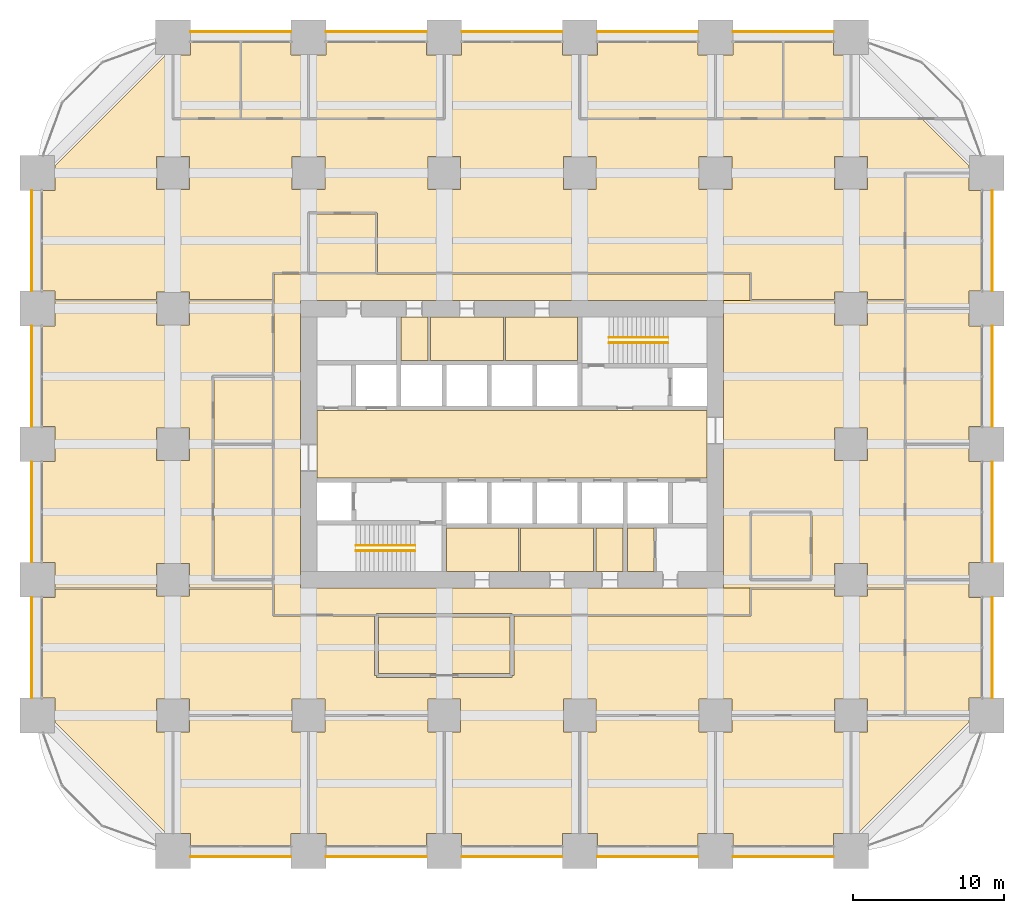
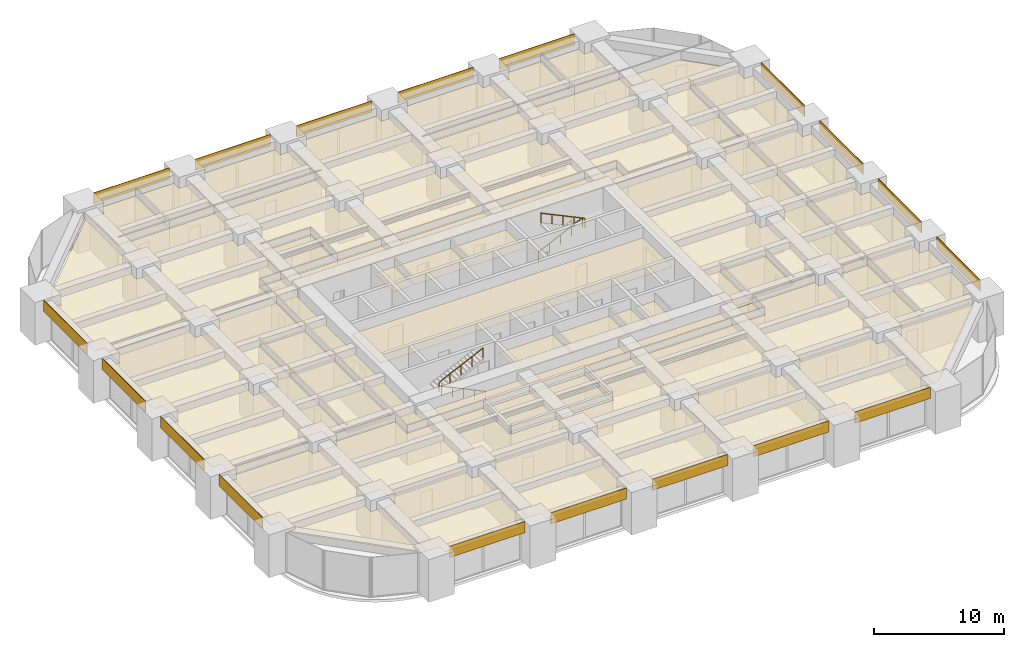
# One storey, part 43 of 44: 51 coverings, 4 railings.
"""IFC4 building model written with IfcOpenShell, lengths in metres."""

from ifc_helpers import new_model, si_unit, direction, frame, frame_2d, origin, origin_2d, place, context, subcontext, project, spatial, polyline, rectangle, circle, outline, extrude, material, layer, layer_set, type_object, element, save


model = new_model("IFC4")

# Units and contexts
model_context = context("Model", 3, precision=1e-05, world=origin(), true_north=direction((0.0, 1.0)))
body_context = subcontext(model_context, "Body", "Model", "MODEL_VIEW")
ifc_project = project(units=[si_unit("LENGTHUNIT", "METRE"), si_unit("AREAUNIT", "SQUARE_METRE"), si_unit("VOLUMEUNIT", "CUBIC_METRE"), si_unit("PLANEANGLEUNIT", "RADIAN"), si_unit("MASSUNIT", "GRAM", prefix="KILO")], contexts=[model_context])

# Site, building, storey
site_placement = place(None, origin())
site = spatial("IfcSite", under=ifc_project, at=site_placement, CompositionType="ELEMENT")
building_placement = place(site_placement, origin())
building = spatial("IfcBuilding", under=site, at=building_placement, Name="Zorevar Civic Tower", CompositionType="ELEMENT")
storey_placement = place(building_placement, frame((0.0, 0.0, 51.800048828125)))
storey = spatial("IfcBuildingStorey", under=building, at=storey_placement, Name="L12", CompositionType="ELEMENT", Elevation=51.800048828125)

# Railings
ifc_material_1 = material(Name="Black steel handrail", Category="steel")
railing_type = type_object("IfcRailingType", Name="Handrail HR1 900", PredefinedType="HANDRAIL", material=ifc_material_1)
railing_1_placement = place(storey_placement, frame((25.050048828125, 19.925048828125, 0.142822265625)))
element("IfcRailing", 1, at=railing_1_placement, inside=storey, type_object=railing_type, Name="Handrail HR1 ST1 L12", PredefinedType="HANDRAIL", context=body_context, shape_type="SweptSolid", body=[
    extrude(circle(Radius=0.02392578125, at=origin_2d()), frame((0.0, 0.0, 0.8759765625), z_axis=(-0.902863652845, 0.0, 0.429926998885), x_axis=(0.0, -1.0, 0.0)), (0.0, 0.0, 1.0), 4.31982421875),
    extrude(circle(Radius=0.02099609375, at=origin_2d()), origin(), (0.0, 0.0, 1.0), 0.851806640625),
    extrude(circle(Radius=0.02099609375, at=origin_2d()), frame((-0.97509765625, 0.0, 0.46435546875)), (0.0, 0.0, 1.0), 0.851806640625),
    extrude(circle(Radius=0.02099609375, at=origin_2d()), frame((-1.9501953125, 0.0, 0.9287109375)), (0.0, 0.0, 1.0), 0.851806640625),
    extrude(circle(Radius=0.02099609375, at=origin_2d()), frame((-2.925048828125, 0.0, 1.392822265625)), (0.0, 0.0, 1.0), 0.851806640625),
    extrude(circle(Radius=0.02099609375, at=origin_2d()), frame((-3.900146484375, 0.0, 1.857177734375)), (0.0, 0.0, 1.0), 0.851806640625),
])
for number, where, name in (
    (2, (21.14990234375, 20.27490234375, 2.142822265625), "Handrail HR1 ST1 L12"),
    (3, (37.949951171875, 34.074951171875, 0.142822265625), "Handrail HR1 ST2 L12"),
):
    element("IfcRailing", number, at=place(storey_placement, frame(where)), inside=storey, type_object=railing_type, Name=name, PredefinedType="HANDRAIL", context=body_context, shape_type="SweptSolid", body=[
        extrude(circle(Radius=0.02392578125, at=origin_2d()), frame((0.0, 0.0, 0.8759765625), z_axis=(0.902863652845, 0.0, 0.429926998885), x_axis=(0.0, 1.0, 0.0)), (0.0, 0.0, 1.0), 4.31982421875),
        extrude(circle(Radius=0.02099609375, at=origin_2d()), origin(), (0.0, 0.0, 1.0), 0.851806640625),
        extrude(circle(Radius=0.02099609375, at=origin_2d()), frame((0.97509765625, 0.0, 0.46435546875)), (0.0, 0.0, 1.0), 0.851806640625),
        extrude(circle(Radius=0.02099609375, at=origin_2d()), frame((1.9501953125, 0.0, 0.9287109375)), (0.0, 0.0, 1.0), 0.851806640625),
        extrude(circle(Radius=0.02099609375, at=origin_2d()), frame((2.925048828125, 0.0, 1.392822265625)), (0.0, 0.0, 1.0), 0.851806640625),
        extrude(circle(Radius=0.02099609375, at=origin_2d()), frame((3.900146484375, 0.0, 1.857177734375)), (0.0, 0.0, 1.0), 0.851806640625),
    ])
railing_2_placement = place(storey_placement, frame((41.85009765625, 33.72509765625, 2.142822265625)))
element("IfcRailing", 4, at=railing_2_placement, inside=storey, type_object=railing_type, Name="Handrail HR1 ST2 L12", PredefinedType="HANDRAIL", context=body_context, shape_type="SweptSolid", body=[
    extrude(circle(Radius=0.02392578125, at=origin_2d()), frame((0.0, 0.0, 0.8759765625), z_axis=(-0.902863652845, 0.0, 0.429926998885), x_axis=(0.0, -1.0, 0.0)), (0.0, 0.0, 1.0), 4.31982421875),
    extrude(circle(Radius=0.02099609375, at=origin_2d()), origin(), (0.0, 0.0, 1.0), 0.851806640625),
    extrude(circle(Radius=0.02099609375, at=origin_2d()), frame((-0.97509765625, 0.0, 0.46435546875)), (0.0, 0.0, 1.0), 0.851806640625),
    extrude(circle(Radius=0.02099609375, at=origin_2d()), frame((-1.9501953125, 0.0, 0.9287109375)), (0.0, 0.0, 1.0), 0.851806640625),
    extrude(circle(Radius=0.02099609375, at=origin_2d()), frame((-2.925048828125, 0.0, 1.392822265625)), (0.0, 0.0, 1.0), 0.851806640625),
    extrude(circle(Radius=0.02099609375, at=origin_2d()), frame((-3.900146484375, 0.0, 1.857177734375)), (0.0, 0.0, 1.0), 0.851806640625),
])

# Coverings
ifc_material_2 = material(Name="Moisture-resistant gypsum board")
ifc_layer_1 = layer(ifc_material_2, 0.012451171875)
ifc_layer_set_1 = layer_set([ifc_layer_1], Name="Moisture-resistant ceiling SC3")
covering_type_1 = type_object("IfcCoveringType", Name="Moisture-resistant ceiling SC3", PredefinedType="CEILING", material=ifc_layer_set_1)
covering_1_placement = place(storey_placement, frame((0.0, 0.0, 3.0)))
element("IfcCovering", 5, at=covering_1_placement, inside=storey, type_object=covering_type_1, Name="Ceiling L12-05", PredefinedType="CEILING", context=body_context, shape_type="SweptSolid", body=[
    extrude(outline(polyline([(31.925048828125, 18.550048828125), (31.925048828125, 21.449951171875), (27.14990234375, 21.449951171875), (27.14990234375, 18.550048828125), (31.925048828125, 18.550048828125)])), origin(), (0.0, 0.0, 1.0), 0.012451171875),
])
covering_2_placement = place(storey_placement, frame((0.0, 0.0, 3.0)))
element("IfcCovering", 6, at=covering_2_placement, inside=storey, type_object=covering_type_1, Name="Ceiling L12-06", PredefinedType="CEILING", context=body_context, shape_type="SweptSolid", body=[
    extrude(outline(polyline([(36.925048828125, 18.550048828125), (36.925048828125, 21.449951171875), (32.074951171875, 21.449951171875), (32.074951171875, 18.550048828125), (36.925048828125, 18.550048828125)])), origin(), (0.0, 0.0, 1.0), 0.012451171875),
])
covering_3_placement = place(storey_placement, frame((0.0, 0.0, 3.0)))
element("IfcCovering", 7, at=covering_3_placement, inside=storey, type_object=covering_type_1, Name="Ceiling L12-07", PredefinedType="CEILING", context=body_context, shape_type="SweptSolid", body=[
    extrude(outline(polyline([(38.85009765625, 18.550048828125), (38.85009765625, 21.449951171875), (37.074951171875, 21.449951171875), (37.074951171875, 18.550048828125), (38.85009765625, 18.550048828125)])), origin(), (0.0, 0.0, 1.0), 0.012451171875),
])
covering_4_placement = place(storey_placement, frame((0.0, 0.0, 3.0)))
element("IfcCovering", 8, at=covering_4_placement, inside=storey, type_object=covering_type_1, Name="Ceiling L12-08", PredefinedType="CEILING", context=body_context, shape_type="SweptSolid", body=[
    extrude(outline(polyline([(35.85009765625, 32.550048828125), (35.85009765625, 35.449951171875), (31.074951171875, 35.449951171875), (31.074951171875, 32.550048828125), (35.85009765625, 32.550048828125)])), origin(), (0.0, 0.0, 1.0), 0.012451171875),
])
covering_5_placement = place(storey_placement, frame((0.0, 0.0, 3.0)))
element("IfcCovering", 9, at=covering_5_placement, inside=storey, type_object=covering_type_1, Name="Ceiling L12-09", PredefinedType="CEILING", context=body_context, shape_type="SweptSolid", body=[
    extrude(outline(polyline([(30.925048828125, 32.550048828125), (30.925048828125, 35.449951171875), (26.074951171875, 35.449951171875), (26.074951171875, 32.550048828125), (30.925048828125, 32.550048828125)])), origin(), (0.0, 0.0, 1.0), 0.012451171875),
])
covering_6_placement = place(storey_placement, frame((0.0, 0.0, 3.0)))
element("IfcCovering", 10, at=covering_6_placement, inside=storey, type_object=covering_type_1, Name="Ceiling L12-10", PredefinedType="CEILING", context=body_context, shape_type="SweptSolid", body=[
    extrude(outline(polyline([(25.925048828125, 32.550048828125), (25.925048828125, 35.449951171875), (24.14990234375, 35.449951171875), (24.14990234375, 32.550048828125), (25.925048828125, 32.550048828125)])), origin(), (0.0, 0.0, 1.0), 0.012451171875),
])
ifc_material_3 = material(Name="Black anodised aluminium spandrel panel", Category="aluminium")
ifc_layer_2 = layer(ifc_material_3, 0.050048828125)
ifc_layer_set_2 = layer_set([ifc_layer_2], Name="Spandrel cladding SP1")
covering_type_2 = type_object("IfcCoveringType", Name="Spandrel cladding SP1", PredefinedType="CLADDING", material=ifc_layer_set_2)
for number, where, z_axis, x_axis, name in (
    (11, (10.14990234375, -0.375, 2.949951171875), (0.0, 0.0, 1.0), (1.0, 0.0, 0.0), "Spandrel cladding L13"),
    (12, (19.14990234375, -0.375, 2.949951171875), (0.0, 0.0, 1.0), (1.0, 0.0, 0.0), "Spandrel cladding L13"),
    (13, (28.14990234375, -0.375, 2.949951171875), (0.0, 0.0, 1.0), (1.0, 0.0, 0.0), "Spandrel cladding L13"),
    (14, (37.14990234375, -0.375, 2.949951171875), (0.0, 0.0, 1.0), (1.0, 0.0, 0.0), "Spandrel cladding L13"),
    (15, (46.14990234375, -0.375, 2.949951171875), (0.0, 0.0, 1.0), (1.0, 0.0, 0.0), "Spandrel cladding L13"),
    (16, (10.14990234375, 54.375, 2.949951171875), (0.0, 0.0, 1.0), (1.0, 0.0, 0.0), "Spandrel cladding L13"),
    (17, (19.14990234375, 54.375, 2.949951171875), (0.0, 0.0, 1.0), (1.0, 0.0, 0.0), "Spandrel cladding L13"),
    (18, (28.14990234375, 54.375, 2.949951171875), (0.0, 0.0, 1.0), (1.0, 0.0, 0.0), "Spandrel cladding L13"),
    (19, (37.14990234375, 54.375, 2.949951171875), (0.0, 0.0, 1.0), (1.0, 0.0, 0.0), "Spandrel cladding L13"),
    (20, (46.14990234375, 54.375, 2.949951171875), (0.0, 0.0, 1.0), (1.0, 0.0, 0.0), "Spandrel cladding L13"),
    (21, (-0.375, 10.14990234375, 2.949951171875), (0.0, 0.0, 1.0), (0.0, 1.0, 0.0), "Spandrel cladding L13"),
    (22, (-0.375, 19.14990234375, 2.949951171875), (0.0, 0.0, 1.0), (0.0, 1.0, 0.0), "Spandrel cladding L13"),
    (23, (-0.375, 28.14990234375, 2.949951171875), (0.0, 0.0, 1.0), (0.0, 1.0, 0.0), "Spandrel cladding L13"),
    (24, (-0.375, 37.14990234375, 2.949951171875), (0.0, 0.0, 1.0), (0.0, 1.0, 0.0), "Spandrel cladding L13"),
    (25, (63.375, 10.14990234375, 2.949951171875), (0.0, 0.0, 1.0), (0.0, 1.0, 0.0), "Spandrel cladding L13"),
    (26, (63.375, 19.14990234375, 2.949951171875), (0.0, 0.0, 1.0), (0.0, 1.0, 0.0), "Spandrel cladding L13"),
    (27, (63.375, 28.14990234375, 2.949951171875), (0.0, 0.0, 1.0), (0.0, 1.0, 0.0), "Spandrel cladding L13"),
    (28, (63.375, 37.14990234375, 2.949951171875), (0.0, 0.0, 1.0), (0.0, 1.0, 0.0), "Spandrel cladding L13"),
):
    element("IfcCovering", number, at=place(storey_placement, frame(where, z_axis=z_axis, x_axis=x_axis)), inside=storey, type_object=covering_type_2, Name=name, PredefinedType="CLADDING", context=body_context, shape_type="SweptSolid", body=[
        extrude(rectangle(XDim=6.7001953125, YDim=0.050048828125, at=frame_2d((3.35009765625, 0.0))), origin(), (0.0, 0.0, 1.0), 1.050048828125),
    ])
ifc_material_4 = material(Name="Mineral fibre tiles on a concealed grid")
ifc_layer_3 = layer(ifc_material_4, 0.02001953125)
ifc_layer_set_3 = layer_set([ifc_layer_3], Name="Suspended ceiling SC1")
covering_type_3 = type_object("IfcCoveringType", Name="Suspended ceiling SC1", PredefinedType="CEILING", material=ifc_layer_set_3)
covering_7_placement = place(storey_placement, frame((0.0, 0.0, 3.0)))
element("IfcCovering", 29, at=covering_7_placement, inside=storey, type_object=covering_type_3, Name="Ceiling L12-11", PredefinedType="CEILING", context=body_context, shape_type="SweptSolid", body=[
    extrude(outline(polyline([(40.93994140625, 18.550048828125), (40.93994140625, 21.449951171875), (39.14990234375, 21.449951171875), (39.14990234375, 18.550048828125), (40.93994140625, 18.550048828125)])), origin(), (0.0, 0.0, 1.0), 0.02001953125),
])
covering_8_placement = place(storey_placement, frame((0.0, 0.0, 3.0)))
element("IfcCovering", 30, at=covering_8_placement, inside=storey, type_object=covering_type_3, Name="Ceiling L12-16", PredefinedType="CEILING", context=body_context, shape_type="SweptSolid", body=[
    extrude(outline(polyline([(44.449951171875, 24.75), (44.449951171875, 29.25), (18.550048828125, 29.25), (18.550048828125, 24.75), (44.449951171875, 24.75)])), origin(), (0.0, 0.0, 1.0), 0.02001953125),
])
covering_9_placement = place(storey_placement, frame((0.0, 0.0, 3.0)))
element("IfcCovering", 31, at=covering_9_placement, inside=storey, type_object=covering_type_3, Name="Ceiling L12-17", PredefinedType="CEILING", context=body_context, shape_type="SweptSolid", body=[
    extrude(outline(polyline([(9.06005859375, 1.159912109375), (9.06005859375, 7.9150390625), (10.0849609375, 7.9150390625), (10.0849609375, 8.93994140625), (16.9150390625, 8.93994140625), (16.9150390625, 7.9150390625), (17.93994140625, 7.9150390625), (17.93994140625, 1.159912109375), (16.840087890625, 1.159912109375), (16.840087890625, 0.35009765625), (10.159912109375, 0.35009765625), (10.159912109375, 1.159912109375), (9.06005859375, 1.159912109375)])), origin(), (0.0, 0.0, 1.0), 0.02001953125),
])
covering_10_placement = place(storey_placement, frame((0.0, 0.0, 3.0)))
element("IfcCovering", 32, at=covering_10_placement, inside=storey, type_object=covering_type_3, Name="Ceiling L12-18", PredefinedType="CEILING", context=body_context, shape_type="SweptSolid", body=[
    extrude(outline(polyline([(18.06005859375, 1.159912109375), (18.06005859375, 7.9150390625), (19.0849609375, 7.9150390625), (19.0849609375, 8.93994140625), (25.9150390625, 8.93994140625), (25.9150390625, 7.9150390625), (26.93994140625, 7.9150390625), (26.93994140625, 1.159912109375), (25.840087890625, 1.159912109375), (25.840087890625, 0.35009765625), (19.159912109375, 0.35009765625), (19.159912109375, 1.159912109375), (18.06005859375, 1.159912109375)])), origin(), (0.0, 0.0, 1.0), 0.02001953125),
])
covering_11_placement = place(storey_placement, frame((0.0, 0.0, 3.0)))
element("IfcCovering", 33, at=covering_11_placement, inside=storey, type_object=covering_type_3, Name="Ceiling L12-19", PredefinedType="CEILING", context=body_context, shape_type="SweptSolid", body=[
    extrude(outline(polyline([(36.06005859375, 1.159912109375), (36.06005859375, 7.9150390625), (37.0849609375, 7.9150390625), (37.0849609375, 8.93994140625), (43.9150390625, 8.93994140625), (43.9150390625, 7.9150390625), (44.93994140625, 7.9150390625), (44.93994140625, 1.159912109375), (43.840087890625, 1.159912109375), (43.840087890625, 0.35009765625), (37.159912109375, 0.35009765625), (37.159912109375, 1.159912109375), (36.06005859375, 1.159912109375)])), origin(), (0.0, 0.0, 1.0), 0.02001953125),
])
covering_12_placement = place(storey_placement, frame((0.0, 0.0, 3.0)))
element("IfcCovering", 34, at=covering_12_placement, inside=storey, type_object=covering_type_3, Name="Ceiling L12-20", PredefinedType="CEILING", context=body_context, shape_type="SweptSolid", body=[
    extrude(outline(polyline([(45.06005859375, 1.159912109375), (45.06005859375, 7.9150390625), (46.0849609375, 7.9150390625), (46.0849609375, 8.93994140625), (52.9150390625, 8.93994140625), (52.9150390625, 7.9150390625), (53.93994140625, 7.9150390625), (53.93994140625, 1.159912109375), (52.840087890625, 1.159912109375), (52.840087890625, 0.35009765625), (46.159912109375, 0.35009765625), (46.159912109375, 1.159912109375), (45.06005859375, 1.159912109375)])), origin(), (0.0, 0.0, 1.0), 0.02001953125),
])
covering_13_placement = place(storey_placement, frame((0.0, 0.0, 3.0)))
element("IfcCovering", 35, at=covering_13_placement, inside=storey, type_object=covering_type_3, Name="Ceiling L12-21", PredefinedType="CEILING", context=body_context, shape_type="SweptSolid", body=[
    extrude(outline(polyline([(22.625, 15.52490234375), (31.375, 15.52490234375), (31.375, 11.77490234375), (22.625, 11.77490234375), (22.625, 15.52490234375)])), origin(), (0.0, 0.0, 1.0), 0.02001953125),
])
covering_14_placement = place(storey_placement, frame((0.0, 0.0, 3.0)))
element("IfcCovering", 36, at=covering_14_placement, inside=storey, type_object=covering_type_3, Name="Ceiling L12-22", PredefinedType="CEILING", context=body_context, shape_type="SweptSolid", body=[
    extrude(outline(polyline([(15.590087890625, 18.06005859375), (11.7099609375, 18.06005859375), (11.7099609375, 26.93994140625), (15.590087890625, 26.93994140625), (15.590087890625, 18.06005859375)])), origin(), (0.0, 0.0, 1.0), 0.02001953125),
])
covering_15_placement = place(storey_placement, frame((0.0, 0.0, 3.0)))
element("IfcCovering", 37, at=covering_15_placement, inside=storey, type_object=covering_type_3, Name="Ceiling L12-23", PredefinedType="CEILING", context=body_context, shape_type="SweptSolid", body=[
    extrude(outline(polyline([(15.590087890625, 31.43994140625), (15.590087890625, 27.06005859375), (11.7099609375, 27.06005859375), (11.7099609375, 31.43994140625), (15.590087890625, 31.43994140625)])), origin(), (0.0, 0.0, 1.0), 0.02001953125),
])
covering_16_placement = place(storey_placement, frame((0.0, 0.0, 3.0)))
element("IfcCovering", 38, at=covering_16_placement, inside=storey, type_object=covering_type_3, Name="Ceiling L12-24", PredefinedType="CEILING", context=body_context, shape_type="SweptSolid", body=[
    extrude(outline(polyline([(9.06005859375, 48.659912109375), (9.06005859375, 52.840087890625), (10.159912109375, 52.840087890625), (10.159912109375, 53.64990234375), (13.43994140625, 53.64990234375), (13.43994140625, 48.659912109375), (9.06005859375, 48.659912109375)])), origin(), (0.0, 0.0, 1.0), 0.02001953125),
])
covering_17_placement = place(storey_placement, frame((0.0, 0.0, 3.0)))
element("IfcCovering", 39, at=covering_17_placement, inside=storey, type_object=covering_type_3, Name="Ceiling L12-25", PredefinedType="CEILING", context=body_context, shape_type="SweptSolid", body=[
    extrude(outline(polyline([(13.56005859375, 48.659912109375), (13.56005859375, 53.64990234375), (16.840087890625, 53.64990234375), (16.840087890625, 52.840087890625), (17.93994140625, 52.840087890625), (17.93994140625, 48.659912109375), (13.56005859375, 48.659912109375)])), origin(), (0.0, 0.0, 1.0), 0.02001953125),
])
covering_18_placement = place(storey_placement, frame((0.0, 0.0, 3.0)))
element("IfcCovering", 40, at=covering_18_placement, inside=storey, type_object=covering_type_3, Name="Ceiling L12-26", PredefinedType="CEILING", context=body_context, shape_type="SweptSolid", body=[
    extrude(outline(polyline([(19.159912109375, 52.840087890625), (19.159912109375, 53.64990234375), (25.840087890625, 53.64990234375), (25.840087890625, 52.840087890625), (26.93994140625, 52.840087890625), (26.93994140625, 48.659912109375), (18.06005859375, 48.659912109375), (18.06005859375, 52.840087890625), (19.159912109375, 52.840087890625)])), origin(), (0.0, 0.0, 1.0), 0.02001953125),
])
covering_19_placement = place(storey_placement, frame((0.0, 0.0, 3.0)))
element("IfcCovering", 41, at=covering_19_placement, inside=storey, type_object=covering_type_3, Name="Ceiling L12-27", PredefinedType="CEILING", context=body_context, shape_type="SweptSolid", body=[
    extrude(outline(polyline([(37.159912109375, 52.840087890625), (37.159912109375, 53.64990234375), (43.840087890625, 53.64990234375), (43.840087890625, 52.840087890625), (44.93994140625, 52.840087890625), (44.93994140625, 48.659912109375), (36.06005859375, 48.659912109375), (36.06005859375, 52.840087890625), (37.159912109375, 52.840087890625)])), origin(), (0.0, 0.0, 1.0), 0.02001953125),
])
covering_20_placement = place(storey_placement, frame((0.0, 0.0, 3.0)))
element("IfcCovering", 42, at=covering_20_placement, inside=storey, type_object=covering_type_3, Name="Ceiling L12-28", PredefinedType="CEILING", context=body_context, shape_type="SweptSolid", body=[
    extrude(outline(polyline([(45.06005859375, 48.659912109375), (45.06005859375, 52.840087890625), (46.159912109375, 52.840087890625), (46.159912109375, 53.64990234375), (49.43994140625, 53.64990234375), (49.43994140625, 48.659912109375), (45.06005859375, 48.659912109375)])), origin(), (0.0, 0.0, 1.0), 0.02001953125),
])
covering_21_placement = place(storey_placement, frame((0.0, 0.0, 3.0)))
element("IfcCovering", 43, at=covering_21_placement, inside=storey, type_object=covering_type_3, Name="Ceiling L12-29", PredefinedType="CEILING", context=body_context, shape_type="SweptSolid", body=[
    extrude(outline(polyline([(49.56005859375, 48.659912109375), (49.56005859375, 53.64990234375), (52.840087890625, 53.64990234375), (52.840087890625, 52.840087890625), (53.93994140625, 52.840087890625), (53.93994140625, 48.659912109375), (49.56005859375, 48.659912109375)])), origin(), (0.0, 0.0, 1.0), 0.02001953125),
])
covering_22_placement = place(storey_placement, frame((0.0, 0.0, 3.0)))
element("IfcCovering", 44, at=covering_22_placement, inside=storey, type_object=covering_type_3, Name="Ceiling L12-30", PredefinedType="CEILING", context=body_context, shape_type="SweptSolid", body=[
    extrude(outline(polyline([(62.64990234375, 10.159912109375), (61.840087890625, 10.159912109375), (61.840087890625, 9.06005859375), (57.659912109375, 9.06005859375), (57.659912109375, 17.93994140625), (61.840087890625, 17.93994140625), (61.840087890625, 16.840087890625), (62.64990234375, 16.840087890625), (62.64990234375, 10.159912109375)])), origin(), (0.0, 0.0, 1.0), 0.02001953125),
])
covering_23_placement = place(storey_placement, frame((0.0, 0.0, 3.0)))
element("IfcCovering", 45, at=covering_23_placement, inside=storey, type_object=covering_type_3, Name="Ceiling L12-31", PredefinedType="CEILING", context=body_context, shape_type="SweptSolid", body=[
    extrude(outline(polyline([(62.64990234375, 19.159912109375), (61.840087890625, 19.159912109375), (61.840087890625, 18.06005859375), (57.659912109375, 18.06005859375), (57.659912109375, 26.93994140625), (61.840087890625, 26.93994140625), (61.840087890625, 25.840087890625), (62.64990234375, 25.840087890625), (62.64990234375, 19.159912109375)])), origin(), (0.0, 0.0, 1.0), 0.02001953125),
])
covering_24_placement = place(storey_placement, frame((0.0, 0.0, 3.0)))
element("IfcCovering", 46, at=covering_24_placement, inside=storey, type_object=covering_type_3, Name="Ceiling L12-32", PredefinedType="CEILING", context=body_context, shape_type="SweptSolid", body=[
    extrude(outline(polyline([(62.64990234375, 28.159912109375), (61.840087890625, 28.159912109375), (61.840087890625, 27.06005859375), (57.659912109375, 27.06005859375), (57.659912109375, 35.93994140625), (61.840087890625, 35.93994140625), (61.840087890625, 34.840087890625), (62.64990234375, 34.840087890625), (62.64990234375, 28.159912109375)])), origin(), (0.0, 0.0, 1.0), 0.02001953125),
])
covering_25_placement = place(storey_placement, frame((0.0, 0.0, 3.0)))
element("IfcCovering", 47, at=covering_25_placement, inside=storey, type_object=covering_type_3, Name="Ceiling L12-33", PredefinedType="CEILING", context=body_context, shape_type="SweptSolid", body=[
    extrude(outline(polyline([(62.64990234375, 37.159912109375), (61.840087890625, 37.159912109375), (61.840087890625, 36.06005859375), (57.659912109375, 36.06005859375), (57.659912109375, 44.93994140625), (61.840087890625, 44.93994140625), (61.840087890625, 43.840087890625), (62.64990234375, 43.840087890625), (62.64990234375, 37.159912109375)])), origin(), (0.0, 0.0, 1.0), 0.02001953125),
])
covering_26_placement = place(storey_placement, frame((0.0, 0.0, 3.0)))
element("IfcCovering", 48, at=covering_26_placement, inside=storey, type_object=covering_type_3, Name="Ceiling L12-34", PredefinedType="CEILING", context=body_context, shape_type="SweptSolid", body=[
    extrude(outline(polyline([(18.06005859375, 42.2900390625), (22.43994140625, 42.2900390625), (22.43994140625, 38.409912109375), (18.06005859375, 38.409912109375), (18.06005859375, 42.2900390625)])), origin(), (0.0, 0.0, 1.0), 0.02001953125),
])
covering_27_placement = place(storey_placement, frame((0.0, 0.0, 3.0)))
element("IfcCovering", 49, at=covering_27_placement, inside=storey, type_object=covering_type_3, Name="Ceiling L12-35", PredefinedType="CEILING", context=body_context, shape_type="SweptSolid", body=[
    extrude(outline(polyline([(47.409912109375, 18.06005859375), (47.409912109375, 22.43994140625), (51.300048828125, 22.43994140625), (51.300048828125, 18.06005859375), (47.409912109375, 18.06005859375)])), origin(), (0.0, 0.0, 1.0), 0.02001953125),
])
covering_28_placement = place(storey_placement, frame((0.0, 0.0, 3.0)))
element("IfcCovering", 50, at=covering_28_placement, inside=storey, type_object=covering_type_3, Name="Ceiling L12-36", PredefinedType="CEILING", context=body_context, shape_type="SweptSolid", body=[
    extrude(outline(polyline([(54.06005859375, 1.159912109375), (54.06005859375, 7.9150390625), (55.0849609375, 7.9150390625), (55.0849609375, 8.93994140625), (61.840087890625, 8.93994140625), (61.840087890625, 8.547119140625), (54.452880859375, 1.159912109375), (54.06005859375, 1.159912109375)])), origin(), (0.0, 0.0, 1.0), 0.02001953125),
])
covering_29_placement = place(storey_placement, frame((0.0, 0.0, 3.0)))
element("IfcCovering", 51, at=covering_29_placement, inside=storey, type_object=covering_type_3, Name="Ceiling L12-38", PredefinedType="CEILING", context=body_context, shape_type="SweptSolid", body=[
    extrude(outline(polyline([(22.5, 38.300048828125), (47.300048828125, 38.300048828125), (47.300048828125, 36.550048828125), (17.449951171875, 36.550048828125), (17.449951171875, 17.449951171875), (47.300048828125, 17.449951171875), (47.300048828125, 15.699951171875), (31.5, 15.699951171875), (31.5, 15.77490234375), (22.5, 15.77490234375), (22.5, 15.699951171875), (15.699951171875, 15.699951171875), (15.699951171875, 18.0), (15.7099609375, 18.0), (15.7099609375, 31.5), (15.699951171875, 31.5), (15.699951171875, 38.300048828125), (18.0, 38.300048828125), (18.0, 38.2900390625), (22.5, 38.2900390625), (22.5, 38.300048828125)])), origin(), (0.0, 0.0, 1.0), 0.02001953125),
])
covering_30_placement = place(storey_placement, frame((0.0, 0.0, 3.0)))
element("IfcCovering", 52, at=covering_30_placement, inside=storey, type_object=covering_type_3, Name="Ceiling L12-39", PredefinedType="CEILING", context=body_context, shape_type="SweptSolid", body=[
    extrude(outline(polyline([(55.0849609375, 19.0849609375), (52.9150390625, 19.0849609375), (52.9150390625, 17.5), (47.35009765625, 17.5), (47.35009765625, 17.449951171875), (45.550048828125, 17.449951171875), (45.550048828125, 36.550048828125), (47.35009765625, 36.550048828125), (47.35009765625, 36.5), (52.9150390625, 36.5), (52.9150390625, 34.9150390625), (55.0849609375, 34.9150390625), (55.0849609375, 36.5), (57.5400390625, 36.5), (57.5400390625, 17.5), (55.0849609375, 17.5), (55.0849609375, 19.0849609375)]), holes=[polyline([(51.35009765625, 18.0), (51.39990234375, 18.0), (51.39990234375, 22.5), (51.35009765625, 22.5), (51.35009765625, 22.56005859375), (47.35009765625, 22.56005859375), (47.35009765625, 22.5), (47.2900390625, 22.5), (47.2900390625, 18.0), (47.35009765625, 18.0), (47.35009765625, 17.93994140625), (51.35009765625, 17.93994140625), (51.35009765625, 18.0)]), polyline([(52.9150390625, 28.0849609375), (52.9150390625, 25.9150390625), (55.0849609375, 25.9150390625), (55.0849609375, 28.0849609375), (52.9150390625, 28.0849609375)])]), origin(), (0.0, 0.0, 1.0), 0.02001953125),
])
covering_31_placement = place(storey_placement, frame((0.0, 0.0, 3.0)))
element("IfcCovering", 53, at=covering_31_placement, inside=storey, type_object=covering_type_3, Name="Ceiling L12-40", PredefinedType="CEILING", context=body_context, shape_type="SweptSolid", body=[
    extrude(outline(polyline([(57.60009765625, 45.06005859375), (57.60009765625, 45.0), (57.5400390625, 45.0), (57.5400390625, 36.60009765625), (55.0849609375, 36.60009765625), (55.0849609375, 37.0849609375), (52.9150390625, 37.0849609375), (52.9150390625, 36.60009765625), (47.39990234375, 36.60009765625), (47.39990234375, 38.35009765625), (47.35009765625, 38.35009765625), (47.35009765625, 38.39990234375), (22.56005859375, 38.39990234375), (22.56005859375, 42.35009765625), (22.5, 42.35009765625), (22.5, 42.409912109375), (18.0, 42.409912109375), (18.0, 42.35009765625), (17.93994140625, 42.35009765625), (17.93994140625, 38.39990234375), (15.64990234375, 38.39990234375), (15.64990234375, 38.35009765625), (15.60009765625, 38.35009765625), (15.60009765625, 36.60009765625), (10.0849609375, 36.60009765625), (10.0849609375, 37.0849609375), (7.9150390625, 37.0849609375), (7.9150390625, 36.60009765625), (1.159912109375, 36.60009765625), (1.159912109375, 37.159912109375), (0.35009765625, 37.159912109375), (0.35009765625, 43.840087890625), (1.159912109375, 43.840087890625), (1.159912109375, 45.452880859375), (8.547119140625, 52.840087890625), (8.93994140625, 52.840087890625), (8.93994140625, 48.60009765625), (9.0, 48.60009765625), (9.0, 48.5400390625), (27.0, 48.5400390625), (27.0, 48.60009765625), (27.06005859375, 48.60009765625), (27.06005859375, 52.840087890625), (28.159912109375, 52.840087890625), (28.159912109375, 53.64990234375), (34.840087890625, 53.64990234375), (34.840087890625, 52.840087890625), (35.93994140625, 52.840087890625), (35.93994140625, 48.60009765625), (36.0, 48.60009765625), (36.0, 48.5400390625), (58.7529296875, 48.5400390625), (61.840087890625, 45.452880859375), (61.840087890625, 45.06005859375), (57.60009765625, 45.06005859375)]), holes=[polyline([(10.0849609375, 46.0849609375), (7.9150390625, 46.0849609375), (7.9150390625, 43.9150390625), (10.0849609375, 43.9150390625), (10.0849609375, 46.0849609375)]), polyline([(16.9150390625, 43.9150390625), (19.0849609375, 43.9150390625), (19.0849609375, 46.0849609375), (16.9150390625, 46.0849609375), (16.9150390625, 43.9150390625)]), polyline([(25.9150390625, 46.0849609375), (25.9150390625, 43.9150390625), (28.0849609375, 43.9150390625), (28.0849609375, 46.0849609375), (25.9150390625, 46.0849609375)]), polyline([(37.0849609375, 43.9150390625), (37.0849609375, 46.0849609375), (34.9150390625, 46.0849609375), (34.9150390625, 43.9150390625), (37.0849609375, 43.9150390625)]), polyline([(43.9150390625, 46.0849609375), (43.9150390625, 43.9150390625), (46.0849609375, 43.9150390625), (46.0849609375, 46.0849609375), (43.9150390625, 46.0849609375)]), polyline([(55.0849609375, 43.9150390625), (55.0849609375, 46.0849609375), (52.9150390625, 46.0849609375), (52.9150390625, 43.9150390625), (55.0849609375, 43.9150390625)])]), origin(), (0.0, 0.0, 1.0), 0.02001953125),
])
covering_32_placement = place(storey_placement, frame((0.0, 0.0, 3.0)))
element("IfcCovering", 54, at=covering_32_placement, inside=storey, type_object=covering_type_3, Name="Ceiling L12-41", PredefinedType="CEILING", context=body_context, shape_type="SweptSolid", body=[
    extrude(outline(polyline([(1.159912109375, 17.39990234375), (7.9150390625, 17.39990234375), (7.9150390625, 16.9150390625), (10.0849609375, 16.9150390625), (10.0849609375, 17.39990234375), (15.60009765625, 17.39990234375), (15.60009765625, 15.64990234375), (15.64990234375, 15.64990234375), (15.64990234375, 15.60009765625), (22.375, 15.60009765625), (22.375, 11.64990234375), (22.5, 11.64990234375), (22.5, 11.52490234375), (31.5, 11.52490234375), (31.5, 11.64990234375), (31.625, 11.64990234375), (31.625, 15.60009765625), (47.35009765625, 15.60009765625), (47.35009765625, 15.64990234375), (47.39990234375, 15.64990234375), (47.39990234375, 17.39990234375), (52.9150390625, 17.39990234375), (52.9150390625, 16.9150390625), (55.0849609375, 16.9150390625), (55.0849609375, 17.39990234375), (57.5400390625, 17.39990234375), (57.5400390625, 9.06005859375), (55.0849609375, 9.06005859375), (55.0849609375, 10.0849609375), (52.9150390625, 10.0849609375), (52.9150390625, 9.06005859375), (46.0849609375, 9.06005859375), (46.0849609375, 10.0849609375), (43.9150390625, 10.0849609375), (43.9150390625, 9.06005859375), (37.0849609375, 9.06005859375), (37.0849609375, 10.0849609375), (34.9150390625, 10.0849609375), (34.9150390625, 7.9150390625), (35.93994140625, 7.9150390625), (35.93994140625, 1.159912109375), (34.840087890625, 1.159912109375), (34.840087890625, 0.35009765625), (28.159912109375, 0.35009765625), (28.159912109375, 1.159912109375), (27.06005859375, 1.159912109375), (27.06005859375, 7.9150390625), (28.0849609375, 7.9150390625), (28.0849609375, 10.0849609375), (25.9150390625, 10.0849609375), (25.9150390625, 9.06005859375), (19.0849609375, 9.06005859375), (19.0849609375, 10.0849609375), (16.9150390625, 10.0849609375), (16.9150390625, 9.06005859375), (10.0849609375, 9.06005859375), (10.0849609375, 10.0849609375), (7.9150390625, 10.0849609375), (7.9150390625, 7.9150390625), (8.93994140625, 7.9150390625), (8.93994140625, 1.159912109375), (8.547119140625, 1.159912109375), (1.159912109375, 8.547119140625), (1.159912109375, 10.159912109375), (0.35009765625, 10.159912109375), (0.35009765625, 16.840087890625), (1.159912109375, 16.840087890625), (1.159912109375, 17.39990234375)])), origin(), (0.0, 0.0, 1.0), 0.02001953125),
])
covering_33_placement = place(storey_placement, frame((0.0, 0.0, 3.0)))
element("IfcCovering", 55, at=covering_33_placement, inside=storey, type_object=covering_type_3, Name="Ceiling L12-42", PredefinedType="CEILING", context=body_context, shape_type="SweptSolid", body=[
    extrude(outline(polyline([(10.0849609375, 19.0849609375), (7.9150390625, 19.0849609375), (7.9150390625, 17.5), (1.159912109375, 17.5), (1.159912109375, 19.159912109375), (0.35009765625, 19.159912109375), (0.35009765625, 25.840087890625), (1.159912109375, 25.840087890625), (1.159912109375, 28.159912109375), (0.35009765625, 28.159912109375), (0.35009765625, 34.840087890625), (1.159912109375, 34.840087890625), (1.159912109375, 36.5), (7.9150390625, 36.5), (7.9150390625, 34.9150390625), (10.0849609375, 34.9150390625), (10.0849609375, 36.5), (15.60009765625, 36.5), (15.60009765625, 31.56005859375), (11.64990234375, 31.56005859375), (11.64990234375, 31.5), (11.590087890625, 31.5), (11.590087890625, 18.0), (11.64990234375, 18.0), (11.64990234375, 17.93994140625), (15.60009765625, 17.93994140625), (15.60009765625, 17.5), (10.0849609375, 17.5), (10.0849609375, 19.0849609375)]), holes=[polyline([(7.9150390625, 28.0849609375), (7.9150390625, 25.9150390625), (10.0849609375, 25.9150390625), (10.0849609375, 28.0849609375), (7.9150390625, 28.0849609375)])]), origin(), (0.0, 0.0, 1.0), 0.02001953125),
])

save(model, "model.ifc")
